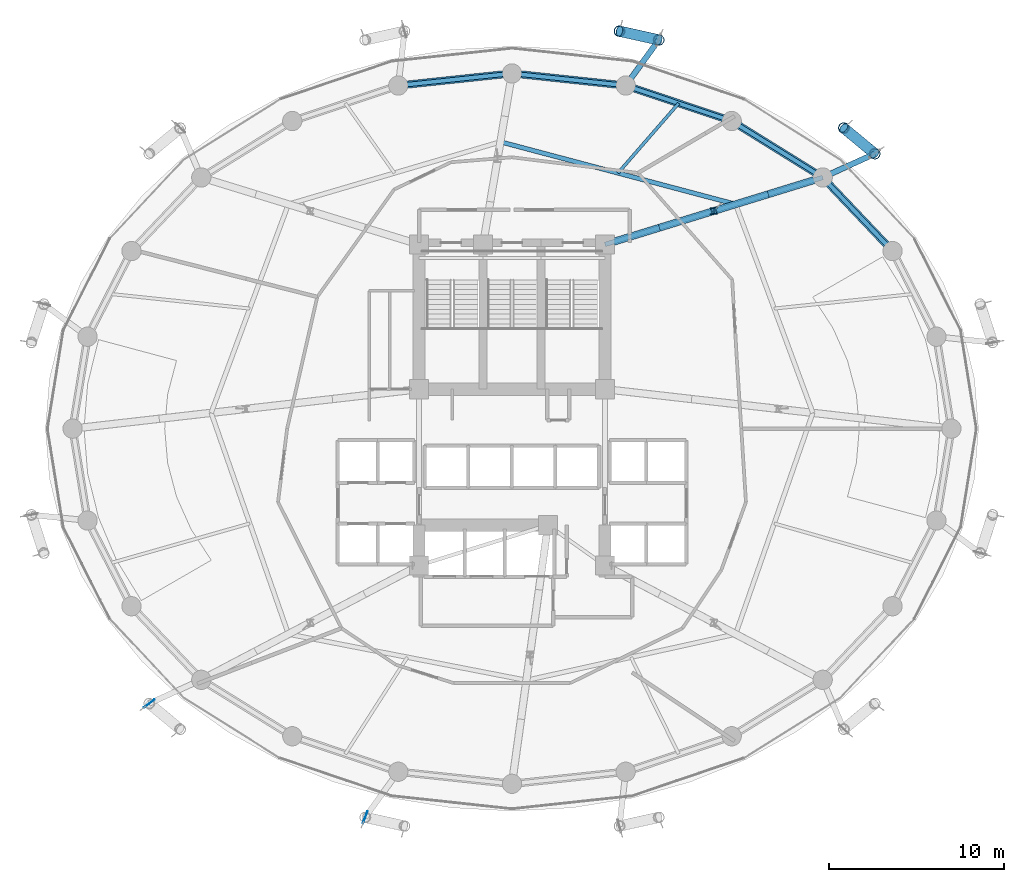
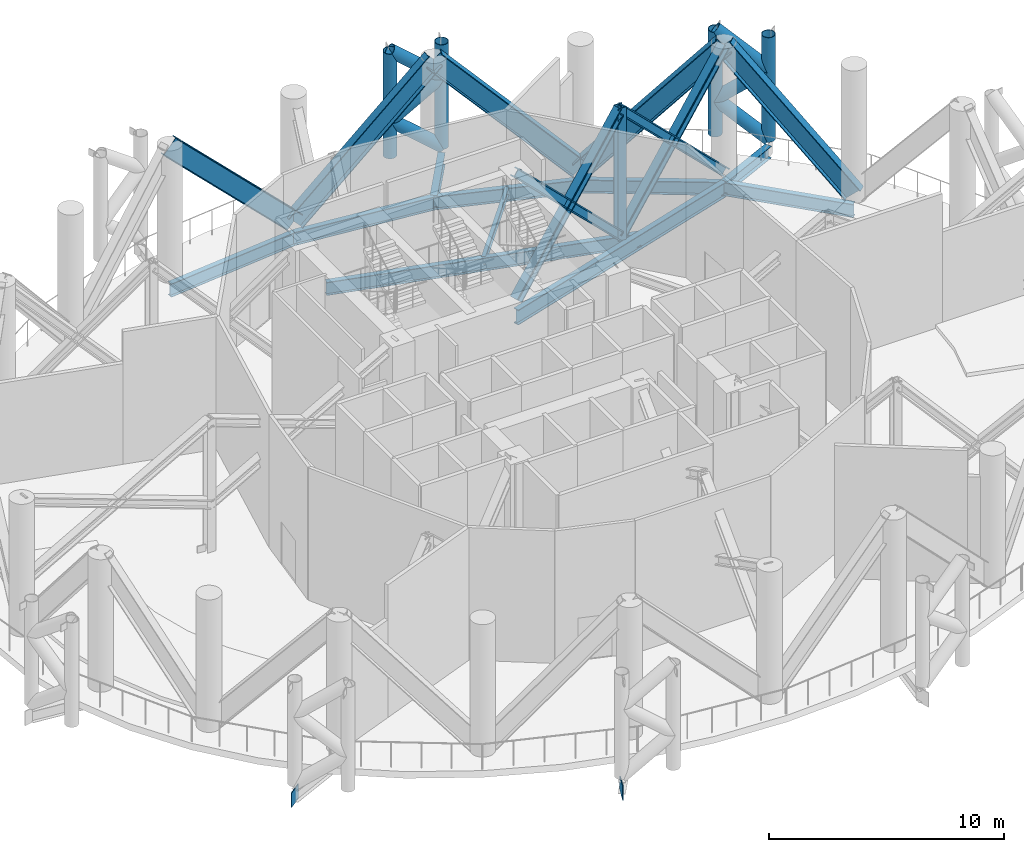
# One storey, part 4 of 19: 20 members, 10 beams, 2 plates.
"""IFC4 building model written with IfcOpenShell, lengths in metres."""

from ifc_helpers import new_model, si_unit, direction, frame, origin, origin_2d, place, context, subcontext, project, spatial, rectangle, hollow_circle, i_section, extrude, material, layer, layer_set, material_profile, profile_set, type_object, element, save


model = new_model("IFC4")

# Units and contexts
model_context = context("Model", 3, precision=1e-05, world=origin(), true_north=direction((0.0, 1.0)))
body_context = subcontext(model_context, "Body", "Model", "MODEL_VIEW")
ifc_project = project(units=[si_unit("LENGTHUNIT", "METRE"), si_unit("AREAUNIT", "SQUARE_METRE"), si_unit("VOLUMEUNIT", "CUBIC_METRE"), si_unit("PLANEANGLEUNIT", "RADIAN"), si_unit("MASSUNIT", "GRAM", prefix="KILO")], contexts=[model_context])

# Site, building, storey
site_placement = place(None, origin())
site = spatial("IfcSite", under=ifc_project, at=site_placement, CompositionType="ELEMENT")
building_placement = place(site_placement, origin())
building = spatial("IfcBuilding", under=site, at=building_placement, Name="Nuhasar Tower", CompositionType="ELEMENT")
storey_placement = place(building_placement, frame((0.0, 0.0, 106.050048828125)))
storey = spatial("IfcBuildingStorey", under=building, at=storey_placement, Name="L25", CompositionType="ELEMENT", Elevation=106.050048828125)

# Members
ifc_material_1 = material(Name="Steel S460", Category="steel")
ifc_material_profile_1 = material_profile(ifc_material_1, i_section(OverallWidth=0.419921875, OverallDepth=0.931884765625, WebThickness=0.021240234375, FlangeThickness=0.03662109375, at=origin_2d()), Name="W36X262")
ifc_profile_set_1 = profile_set([ifc_material_profile_1], Name="Steel S460")
member_type_1 = type_object("IfcMemberType", Name="BLT-DIAG-W36A", PredefinedType="CHORD", material=ifc_profile_set_1)
member_1_placement = place(storey_placement, frame((60.694091796875, 36.925048828125, 0.14990234375), z_axis=(-0.454480500757, 0.478755506347, 0.751159530043), x_axis=(-0.725254478976, -0.688480893507, 0.0)))
element("IfcMember", 1, at=member_1_placement, inside=storey, type_object=member_type_1, Name="L25 Belt Truss Diagonal 03", PredefinedType="CHORD", context=body_context, shape_type="SweptSolid", body=[
    extrude(i_section(OverallWidth=0.419921875, OverallDepth=0.931884765625, WebThickness=0.021240234375, FlangeThickness=0.03662109375, at=origin_2d()), origin(), (0.0, 0.0, 1.0), 8.760009765625),
])
member_2_placement = place(storey_placement, frame((51.52490234375, 44.3369140625, 0.14990234375), z_axis=(0.5779854684, -0.358514186305, 0.733075969144), x_axis=(0.527112976439, 0.849795216549, 0.0)))
element("IfcMember", 2, at=member_2_placement, inside=storey, type_object=member_type_1, Name="L25 Belt Truss Diagonal 04", PredefinedType="CHORD", context=body_context, shape_type="SweptSolid", body=[
    extrude(i_section(OverallWidth=0.419921875, OverallDepth=0.931884765625, WebThickness=0.021240234375, FlangeThickness=0.03662109375, at=origin_2d()), origin(), (0.0, 0.0, 1.0), 8.97607421875),
])
member_3_placement = place(storey_placement, frame((51.52490234375, 44.3369140625, 0.14990234375), z_axis=(-0.659642263156, 0.220884735525, 0.718388487012), x_axis=(-0.317526388949, -0.948249435708, 0.0)))
element("IfcMember", 3, at=member_3_placement, inside=storey, type_object=member_type_1, Name="L25 Belt Truss Diagonal 05", PredefinedType="CHORD", context=body_context, shape_type="SweptSolid", body=[
    extrude(i_section(OverallWidth=0.419921875, OverallDepth=0.931884765625, WebThickness=0.021240234375, FlangeThickness=0.03662109375, at=origin_2d()), origin(), (0.0, 0.0, 1.0), 9.159423828125),
])
for number, where, z_axis, x_axis, name in (
    (4, (39.0, 47.050048828125, 0.14990234375), (0.699878064566, -0.07448427395, 0.710368064931), (0.105827022286, 0.994384554061, 0.0), "L25 Belt Truss Diagonal 06"),
    (5, (39.0, 47.050048828125, 0.14990234375), (-0.699878064566, -0.07448427395, 0.710368064931), (0.105827022286, -0.994384554061, 0.0), "L25 Belt Truss Diagonal 07"),
):
    element("IfcMember", number, at=place(storey_placement, frame(where, z_axis=z_axis, x_axis=x_axis)), inside=storey, type_object=member_type_1, Name=name, PredefinedType="CHORD", context=body_context, shape_type="SweptSolid", body=[
        extrude(i_section(OverallWidth=0.419921875, OverallDepth=0.931884765625, WebThickness=0.021240234375, FlangeThickness=0.03662109375, at=origin_2d()), origin(), (0.0, 0.0, 1.0), 9.262939453125),
    ])

# Beams
ifc_material_2 = material(Name="Steel S355", Category="steel")
ifc_material_profile_2 = material_profile(ifc_material_2, i_section(OverallWidth=0.25390625, OverallDepth=0.68408203125, WebThickness=0.012451171875, FlangeThickness=0.018798828125, at=origin_2d()), Name="W27X94")
ifc_profile_set_2 = profile_set([ifc_material_profile_2], Name="Steel S355")
beam_type_1 = type_object("IfcBeamType", Name="BM-INRING-W27X94", PredefinedType="BEAM", material=ifc_profile_set_2)
beam_1_placement = place(storey_placement, frame((51.748046875, 39.591064453125, -0.692138671875), z_axis=(-0.96653253005, 0.256544086574, 0.0), x_axis=(-0.256544086574, -0.96653253005, 0.0)))
element("IfcBeam", 6, at=beam_1_placement, inside=storey, type_object=beam_type_1, Name="L25 Inner Header Beam 05", PredefinedType="BEAM", context=body_context, shape_type="SweptSolid", body=[
    extrude(i_section(OverallWidth=0.25390625, OverallDepth=0.68408203125, WebThickness=0.012451171875, FlangeThickness=0.018798828125, at=origin_2d()), origin(), (0.0, 0.0, 1.0), 13.872314453125),
])
ifc_material_profile_3 = material_profile(ifc_material_2, i_section(OverallWidth=0.177978515625, OverallDepth=0.406005859375, WebThickness=0.0078125, FlangeThickness=0.0126953125, at=origin_2d()), Name="W16X40")
ifc_profile_set_3 = profile_set([ifc_material_profile_3], Name="Steel S355")
beam_type_2 = type_object("IfcBeamType", Name="BM-JST-W16X40", PredefinedType="JOIST", material=ifc_profile_set_3)
beam_2_placement = place(storey_placement, frame((45.0439453125, 41.3701171875, -0.552978515625), z_axis=(0.656174129694, 0.754609509296, 0.0), x_axis=(-0.754609509296, 0.656174129694, 0.0)))
element("IfcBeam", 7, at=beam_2_placement, inside=storey, type_object=beam_type_2, Name="L25 Secondary Floor Joist 05", PredefinedType="JOIST", context=body_context, shape_type="SweptSolid", body=[
    extrude(i_section(OverallWidth=0.177978515625, OverallDepth=0.406005859375, WebThickness=0.0078125, FlangeThickness=0.0126953125, at=origin_2d()), origin(), (0.0, 0.0, 1.0), 5.27294921875),
])
ifc_material_profile_4 = material_profile(ifc_material_2, i_section(OverallWidth=0.26611328125, OverallDepth=0.779052734375, WebThickness=0.0166015625, FlangeThickness=0.030029296875, at=origin_2d()), Name="W30X148")
ifc_profile_set_4 = profile_set([ifc_material_profile_4], Name="Steel S355")
beam_type_3 = type_object("IfcBeamType", Name="BM-RAD-W30X148", PredefinedType="BEAM", material=ifc_profile_set_4)
beam_3_placement = place(storey_placement, frame((44.300048828125, 37.300048828125, -0.739013671875), z_axis=(0.955789576103, 0.294051502653, 0.0), x_axis=(-0.294051502653, 0.955789576103, 0.0)))
element("IfcBeam", 8, at=beam_3_placement, inside=storey, type_object=beam_type_3, Name="L25 Radial Floor Girder 05", PredefinedType="BEAM", context=body_context, shape_type="SweptSolid", body=[
    extrude(i_section(OverallWidth=0.26611328125, OverallDepth=0.779052734375, WebThickness=0.0166015625, FlangeThickness=0.030029296875, at=origin_2d()), origin(), (0.0, 0.0, 1.0), 12.987060546875),
])
ifc_material_profile_5 = material_profile(ifc_material_2, i_section(OverallWidth=0.256103515625, OverallDepth=0.693115234375, WebThickness=0.014404296875, FlangeThickness=0.023681640625, at=origin_2d()), Name="W27X114")
ifc_profile_set_5 = profile_set([ifc_material_profile_5], Name="Steel S355")
beam_type_4 = type_object("IfcBeamType", Name="BM-RING-W27X114", PredefinedType="SPANDREL", material=ifc_profile_set_5)
beam_4_placement = place(storey_placement, frame((60.694091796875, 36.925048828125, -0.697021484375), z_axis=(-0.688480893507, 0.725254478976, 0.0), x_axis=(-0.725254478976, -0.688480893507, 0.0)))
element("IfcBeam", 9, at=beam_4_placement, inside=storey, type_object=beam_type_4, Name="L25 Perimeter Ring Spandrel 03", PredefinedType="SPANDREL", context=body_context, shape_type="SweptSolid", body=[
    extrude(i_section(OverallWidth=0.256103515625, OverallDepth=0.693115234375, WebThickness=0.014404296875, FlangeThickness=0.023681640625, at=origin_2d()), origin(), (0.0, 0.0, 1.0), 5.782470703125),
])
beam_5_placement = place(storey_placement, frame((56.712890625, 41.118896484375, -0.697021484375), z_axis=(-0.849795216549, 0.527112976439, 0.0), x_axis=(-0.527112976439, -0.849795216549, 0.0)))
element("IfcBeam", 10, at=beam_5_placement, inside=storey, type_object=beam_type_4, Name="L25 Perimeter Ring Spandrel 04", PredefinedType="SPANDREL", context=body_context, shape_type="SweptSolid", body=[
    extrude(i_section(OverallWidth=0.256103515625, OverallDepth=0.693115234375, WebThickness=0.014404296875, FlangeThickness=0.023681640625, at=origin_2d()), origin(), (0.0, 0.0, 1.0), 6.10498046875),
])
beam_6_placement = place(storey_placement, frame((51.52490234375, 44.3369140625, -0.697021484375), z_axis=(-0.948249435708, 0.317526388949, 0.0), x_axis=(-0.317526388949, -0.948249435708, 0.0)))
element("IfcBeam", 11, at=beam_6_placement, inside=storey, type_object=beam_type_4, Name="L25 Perimeter Ring Spandrel 05", PredefinedType="SPANDREL", context=body_context, shape_type="SweptSolid", body=[
    extrude(i_section(OverallWidth=0.256103515625, OverallDepth=0.693115234375, WebThickness=0.014404296875, FlangeThickness=0.023681640625, at=origin_2d()), origin(), (0.0, 0.0, 1.0), 6.371826171875),
])
for number, where, z_axis, x_axis, name in (
    (12, (45.48291015625, 46.360107421875, -0.697021484375), (-0.994384554061, 0.105827022286, 0.0), (-0.105827022286, -0.994384554061, 0.0), "L25 Perimeter Ring Spandrel 06"),
    (13, (39.0, 47.050048828125, -0.697021484375), (-0.994384554061, -0.105827022286, 0.0), (0.105827022286, -0.994384554061, 0.0), "L25 Perimeter Ring Spandrel 07"),
):
    element("IfcBeam", number, at=place(storey_placement, frame(where, z_axis=z_axis, x_axis=x_axis)), inside=storey, type_object=beam_type_4, Name=name, PredefinedType="SPANDREL", context=body_context, shape_type="SweptSolid", body=[
        extrude(i_section(OverallWidth=0.256103515625, OverallDepth=0.693115234375, WebThickness=0.014404296875, FlangeThickness=0.023681640625, at=origin_2d()), origin(), (0.0, 0.0, 1.0), 6.51953125),
    ])
ifc_material_profile_6 = material_profile(ifc_material_2, i_section(OverallWidth=0.323974609375, OverallDepth=0.611083984375, WebThickness=0.0126953125, FlangeThickness=0.01904296875, at=origin_2d()), Name="W24X104")
ifc_profile_set_6 = profile_set([ifc_material_profile_6], Name="Steel S355")
beam_type_5 = type_object("IfcBeamType", Name="BM-TIE-W24X104", PredefinedType="BEAM", material=ifc_profile_set_6)
beam_7_placement = place(storey_placement, frame((56.712890625, 41.118896484375, -0.655029296875), z_axis=(0.910243528587, 0.414073325227, 0.0), x_axis=(-0.414073325227, 0.910243528587, 0.0)))
element("IfcBeam", 14, at=beam_7_placement, inside=storey, type_object=beam_type_5, Name="L25 Exoskeleton Node Tie Beam 02", PredefinedType="BEAM", context=body_context, shape_type="SweptSolid", body=[
    extrude(i_section(OverallWidth=0.323974609375, OverallDepth=0.611083984375, WebThickness=0.0126953125, FlangeThickness=0.01904296875, at=origin_2d()), origin(), (0.0, 0.0, 1.0), 3.26513671875),
])
beam_8_placement = place(storey_placement, frame((45.48291015625, 46.360107421875, -0.655029296875), z_axis=(0.587439442414, 0.809268127073, 0.0), x_axis=(-0.809268127073, 0.587439442414, 0.0)))
element("IfcBeam", 15, at=beam_8_placement, inside=storey, type_object=beam_type_5, Name="L25 Exoskeleton Node Tie Beam 03", PredefinedType="BEAM", context=body_context, shape_type="SweptSolid", body=[
    extrude(i_section(OverallWidth=0.323974609375, OverallDepth=0.611083984375, WebThickness=0.0126953125, FlangeThickness=0.01904296875, at=origin_2d()), origin(), (0.0, 0.0, 1.0), 3.212646484375),
])

# Members
ifc_material_profile_7 = material_profile(ifc_material_1, hollow_circle(Radius=0.304931640625, WallThickness=0.025390625, at=origin_2d()), Name="HSS610X25.4")
ifc_profile_set_7 = profile_set([ifc_material_profile_7], Name="Steel S460")
member_type_2 = type_object("IfcMemberType", Name="EXO-BRONZE-610", PredefinedType="BRACE", material=ifc_profile_set_7)
for number, where, z_axis, x_axis, name in (
    (16, (59.68505859375, 42.470947265625, 0.0), (0.0, 0.0, 1.0), (1.0, 0.0, 0.0), "L25 Exoskeleton Chord Column EC-02A"),
    (17, (57.9130859375, 43.93896484375, 0.0), (0.0, 0.0, 1.0), (1.0, 0.0, 0.0), "L25 Exoskeleton Chord Column EC-02B"),
    (18, (47.3701171875, 48.9599609375, 0.0), (0.0, 0.0, 1.0), (1.0, 0.0, 0.0), "L25 Exoskeleton Chord Column EC-03A"),
    (19, (45.1240234375, 49.458984375, 0.0), (0.0, 0.0, 1.0), (1.0, 0.0, 0.0), "L25 Exoskeleton Chord Column EC-03B"),
):
    element("IfcMember", number, at=place(storey_placement, frame(where, z_axis=z_axis, x_axis=x_axis)), inside=storey, type_object=member_type_2, Name=name, PredefinedType="BRACE", context=body_context, shape_type="SweptSolid", body=[
        extrude(hollow_circle(Radius=0.304931640625, WallThickness=0.025390625, at=origin_2d()), origin(), (0.0, 0.0, 1.0), 5.429931640625),
    ])
member_4_placement = place(storey_placement, frame((59.68505859375, 42.470947265625, 0.0), z_axis=(-0.605249314085, 0.501427958886, 0.618258254977), x_axis=(-0.637969333506, -0.770061769929, 0.0)))
element("IfcMember", 20, at=member_4_placement, inside=storey, type_object=member_type_2, Name="L25 Bronze Diagrid Brace W1-02", PredefinedType="BRACE", context=body_context, shape_type="SweptSolid", body=[
    extrude(hollow_circle(Radius=0.304931640625, WallThickness=0.025390625, at=origin_2d()), origin(), (0.0, 0.0, 1.0), 2.927734375),
])
member_5_placement = place(storey_placement, frame((57.9130859375, 43.93896484375, 1.81005859375), z_axis=(0.605280519206, -0.50145381124, 0.61820673586), x_axis=(0.637969333506, 0.770061769929, 0.0)))
element("IfcMember", 21, at=member_5_placement, inside=storey, type_object=member_type_2, Name="L25 Bronze Diagrid Brace W2-02", PredefinedType="BRACE", context=body_context, shape_type="SweptSolid", body=[
    extrude(hollow_circle(Radius=0.304931640625, WallThickness=0.025390625, at=origin_2d()), origin(), (0.0, 0.0, 1.0), 2.927490234375),
])
member_6_placement = place(storey_placement, frame((59.68505859375, 42.470947265625, 3.619873046875), z_axis=(-0.605249314085, 0.501427958886, 0.618258254977), x_axis=(-0.637969333506, -0.770061769929, 0.0)))
element("IfcMember", 22, at=member_6_placement, inside=storey, type_object=member_type_2, Name="L25 Bronze Diagrid Brace W3-02", PredefinedType="BRACE", context=body_context, shape_type="SweptSolid", body=[
    extrude(hollow_circle(Radius=0.304931640625, WallThickness=0.025390625, at=origin_2d()), origin(), (0.0, 0.0, 1.0), 2.927734375),
])
member_7_placement = place(storey_placement, frame((47.3701171875, 48.9599609375, 0.0), z_axis=(-0.76723876055, 0.17046043767, 0.618294366382), x_axis=(-0.216885517571, -0.97619704582, 0.0)))
element("IfcMember", 23, at=member_7_placement, inside=storey, type_object=member_type_2, Name="L25 Bronze Diagrid Brace W1-03", PredefinedType="BRACE", context=body_context, shape_type="SweptSolid", body=[
    extrude(hollow_circle(Radius=0.304931640625, WallThickness=0.025390625, at=origin_2d()), origin(), (0.0, 0.0, 1.0), 2.927490234375),
])
member_8_placement = place(storey_placement, frame((45.1240234375, 49.458984375, 1.81005859375), z_axis=(0.767278322057, -0.170469227205, 0.618242847979), x_axis=(0.216885517571, 0.97619704582, 0.0)))
element("IfcMember", 24, at=member_8_placement, inside=storey, type_object=member_type_2, Name="L25 Bronze Diagrid Brace W2-03", PredefinedType="BRACE", context=body_context, shape_type="SweptSolid", body=[
    extrude(hollow_circle(Radius=0.304931640625, WallThickness=0.025390625, at=origin_2d()), origin(), (0.0, 0.0, 1.0), 2.92724609375),
])
member_9_placement = place(storey_placement, frame((47.3701171875, 48.9599609375, 3.619873046875), z_axis=(-0.76723876055, 0.17046043767, 0.618294366382), x_axis=(-0.216885517571, -0.97619704582, 0.0)))
element("IfcMember", 25, at=member_9_placement, inside=storey, type_object=member_type_2, Name="L25 Bronze Diagrid Brace W3-03", PredefinedType="BRACE", context=body_context, shape_type="SweptSolid", body=[
    extrude(hollow_circle(Radius=0.304931640625, WallThickness=0.025390625, at=origin_2d()), origin(), (0.0, 0.0, 1.0), 2.927490234375),
])
ifc_material_profile_8 = material_profile(ifc_material_1, i_section(OverallWidth=0.39892578125, OverallDepth=0.385986328125, WebThickness=0.02099609375, FlangeThickness=0.033203125, at=origin_2d()), Name="W14X176")
ifc_profile_set_8 = profile_set([ifc_material_profile_8], Name="Steel S460")
member_type_3 = type_object("IfcMemberType", Name="OUT-CHRD-W14C", PredefinedType="CHORD", material=ifc_profile_set_8)
member_10_placement = place(storey_placement, frame((50.507080078125, 39.208984375, 0.0), z_axis=(0.0, 0.0, 1.0), x_axis=(1.0, 0.0, 0.0)))
element("IfcMember", 26, at=member_10_placement, inside=storey, type_object=member_type_3, Name="L25 Outrigger Truss Post 05", PredefinedType="CHORD", context=body_context, shape_type="SweptSolid", body=[
    extrude(i_section(OverallWidth=0.39892578125, OverallDepth=0.385986328125, WebThickness=0.02099609375, FlangeThickness=0.033203125, at=origin_2d()), origin(), (0.0, 0.0, 1.0), 6.8798828125),
])
ifc_material_profile_9 = material_profile(ifc_material_1, i_section(OverallWidth=0.412109375, OverallDepth=0.43408203125, WebThickness=0.035888671875, FlangeThickness=0.057373046875, at=origin_2d()), Name="W14X311")
ifc_profile_set_9 = profile_set([ifc_material_profile_9], Name="Steel S460")
member_type_4 = type_object("IfcMemberType", Name="OUT-DIAG-W14A", PredefinedType="STRUT", material=ifc_profile_set_9)
for number, where, z_axis, x_axis, name in (
    (27, (44.300048828125, 37.300048828125, 0.14990234375), (0.671398524948, 0.206484623449, 0.711750041079), (-0.29395639693, 0.955818830482, 0.0), "L25 Outrigger Truss Diagonal IN1-05"),
    (28, (50.507080078125, 39.208984375, 0.14990234375), (-0.671398524948, -0.206484623449, 0.711750041079), (0.29395639693, -0.955818830482, 0.0), "L25 Outrigger Truss Diagonal IN2-05"),
):
    element("IfcMember", number, at=place(storey_placement, frame(where, z_axis=z_axis, x_axis=x_axis)), inside=storey, type_object=member_type_4, Name=name, PredefinedType="STRUT", context=body_context, shape_type="SweptSolid", body=[
        extrude(i_section(OverallWidth=0.412109375, OverallDepth=0.43408203125, WebThickness=0.035888671875, FlangeThickness=0.057373046875, at=origin_2d()), origin(), (0.0, 0.0, 1.0), 9.244873046875),
    ])
for number, where, z_axis, x_axis, name in (
    (29, (50.507080078125, 39.208984375, 0.14990234375), (0.671311347153, 0.206604062661, 0.711797609209), (-0.294146618348, 0.955760308296, 0.0), "L25 Outrigger Truss Diagonal OUT1-05"),
    (30, (56.712890625, 41.118896484375, 0.14990234375), (-0.671311347153, -0.206604062661, 0.711797609209), (0.294146618348, -0.955760308296, 0.0), "L25 Outrigger Truss Diagonal OUT2-05"),
):
    element("IfcMember", number, at=place(storey_placement, frame(where, z_axis=z_axis, x_axis=x_axis)), inside=storey, type_object=member_type_4, Name=name, PredefinedType="STRUT", context=body_context, shape_type="SweptSolid", body=[
        extrude(i_section(OverallWidth=0.412109375, OverallDepth=0.43408203125, WebThickness=0.035888671875, FlangeThickness=0.057373046875, at=origin_2d()), origin(), (0.0, 0.0, 1.0), 9.244384765625),
    ])

# Plates
ifc_layer = layer(ifc_material_1, 0.0400390625)
ifc_layer_set = layer_set([ifc_layer], Name="Steel S460")
plate_type = type_object("IfcPlateType", Name="PLT-GUSSET-40", PredefinedType="SHEET", material=ifc_layer_set)
for number, where, z_axis, x_axis, name in (
    (31, (18.31494140625, 11.12890625, -1.030029296875), (0.0, 0.0, 1.0), (-0.797078306655, -0.60387595834, 0.0), "L25 Bronze Diagrid Gusset Node Plate 08"),
    (32, (30.6298828125, 4.639892578125, -1.030029296875), (0.0, 0.0, 1.0), (-0.353344227708, -0.93549337611, 0.0), "L25 Bronze Diagrid Gusset Node Plate 09"),
):
    element("IfcPlate", number, at=place(storey_placement, frame(where, z_axis=z_axis, x_axis=x_axis)), inside=storey, type_object=plate_type, Name=name, PredefinedType="SHEET", context=body_context, shape_type="SweptSolid", body=[
        extrude(rectangle(XDim=0.75, YDim=0.0400390625, at=origin_2d()), origin(), (0.0, 0.0, 1.0), 0.75),
    ])

save(model, "model.ifc")
